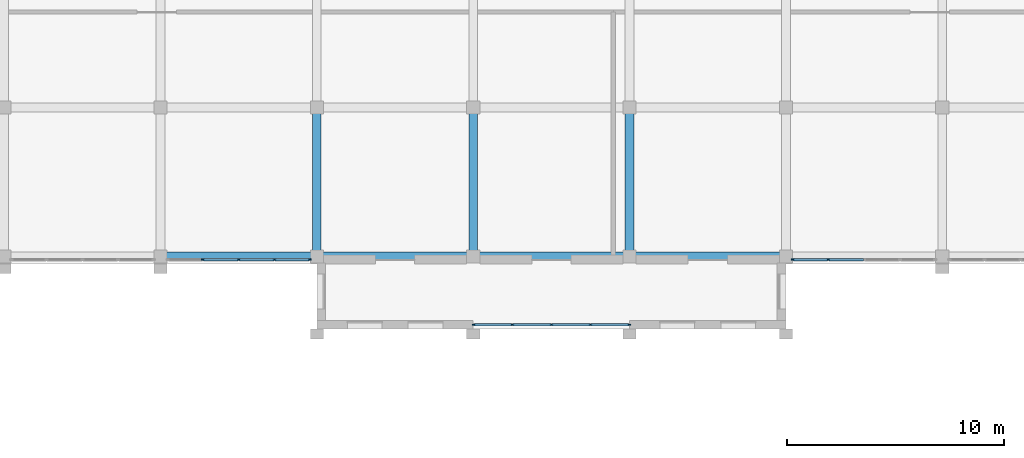
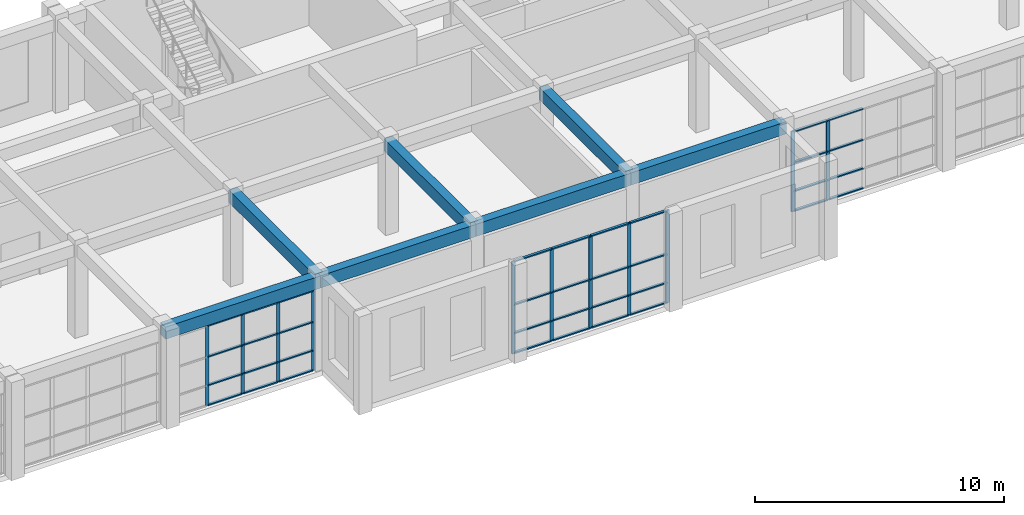
# One storey, part 104 of 149: 47 members, 7 beams, 3 elements without a shape of their own.
"""IFC4 building model written with IfcOpenShell, lengths in metres."""

from ifc_helpers import new_model, si_unit, direction, frame, origin, origin_2d, place, context, subcontext, project, spatial, rectangle, extrude, material, material_profile, profile_set, type_object, element, aggregate, save


model = new_model("IFC4")

# Units and contexts
model_context = context("Model", 3, precision=1e-05, world=origin(), true_north=direction((0.0, 1.0)))
body_context = subcontext(model_context, "Body", "Model", "MODEL_VIEW")
ifc_project = project(units=[si_unit("LENGTHUNIT", "METRE"), si_unit("AREAUNIT", "SQUARE_METRE"), si_unit("VOLUMEUNIT", "CUBIC_METRE"), si_unit("PLANEANGLEUNIT", "RADIAN"), si_unit("MASSUNIT", "GRAM", prefix="KILO")], contexts=[model_context])

# Site, building, storey
site_placement = place(None, origin())
site = spatial("IfcSite", under=ifc_project, at=site_placement, CompositionType="ELEMENT")
building_placement = place(site_placement, origin())
building = spatial("IfcBuilding", under=site, at=building_placement, Name="Alderwick Market Hall", CompositionType="ELEMENT")
storey_placement = place(building_placement, frame((0.0, 0.0, 9.60009765625)))
storey = spatial("IfcBuildingStorey", under=building, at=storey_placement, Name="L01", CompositionType="ELEMENT", Elevation=9.60009765625)

# Curtain wall, members
ifc_material_1 = material(Name="F Curtain Wall 1800 module")
curtain_wall_type = type_object("IfcCurtainWallType", Name="F Curtain Wall 1800 module", PredefinedType="NOTDEFINED", material=ifc_material_1)
curtain_wall_1_placement = place(storey_placement, origin())
curtain_wall_1 = element("IfcCurtainWall", 1, at=curtain_wall_1_placement, inside=storey, type_object=curtain_wall_type, Name="F.cw.L01.04", PredefinedType="NOTDEFINED")
ifc_material_2 = material(Name="Aluminium alloy 6063-T6", Category="aluminium")
ifc_material_profile_1 = material_profile(ifc_material_2, rectangle(XDim=0.06005859375, YDim=0.159912109375, at=origin_2d()), Name="AL 60x160")
ifc_profile_set_1 = profile_set([ifc_material_profile_1], Name="Aluminium alloy 6063-T6")
member_type_1 = type_object("IfcMemberType", Name="F Curtain Wall Mullion 60x160", PredefinedType="MULLION", material=ifc_profile_set_1)
member_1_placement = place(storey_placement, frame((186.8701171875, 129.800048828125, 0.0), z_axis=(0.0, 0.0, 1.0), x_axis=(0.0, -1.0, 0.0)))
member_1 = element("IfcMember", 2, at=member_1_placement, type_object=member_type_1, Name="F-CW mullion 1", PredefinedType="MULLION", context=body_context, shape_type="SweptSolid", body=[
    extrude(rectangle(XDim=0.06005859375, YDim=0.159912109375, at=origin_2d()), origin(), (0.0, 0.0, 1.0), 3.949951171875),
])
member_2_placement = place(storey_placement, frame((185.25, 129.800048828125, 0.0), z_axis=(0.0, 0.0, 1.0), x_axis=(0.0, -1.0, 0.0)))
member_2 = element("IfcMember", 3, at=member_2_placement, type_object=member_type_1, Name="F-CW mullion 2", PredefinedType="MULLION", context=body_context, shape_type="SweptSolid", body=[
    extrude(rectangle(XDim=0.06005859375, YDim=0.159912109375, at=origin_2d()), origin(), (0.0, 0.0, 1.0), 3.949951171875),
])
member_3_placement = place(storey_placement, frame((183.60009765625, 129.800048828125, 0.0), z_axis=(0.0, 0.0, 1.0), x_axis=(0.0, -1.0, 0.0)))
member_3 = element("IfcMember", 4, at=member_3_placement, type_object=member_type_1, Name="F-CW mullion 3", PredefinedType="MULLION", context=body_context, shape_type="SweptSolid", body=[
    extrude(rectangle(XDim=0.06005859375, YDim=0.159912109375, at=origin_2d()), origin(), (0.0, 0.0, 1.0), 3.949951171875),
])
member_4_placement = place(storey_placement, frame((181.949951171875, 129.800048828125, 0.0), z_axis=(0.0, 0.0, 1.0), x_axis=(0.0, -1.0, 0.0)))
member_4 = element("IfcMember", 5, at=member_4_placement, type_object=member_type_1, Name="F-CW mullion 4", PredefinedType="MULLION", context=body_context, shape_type="SweptSolid", body=[
    extrude(rectangle(XDim=0.06005859375, YDim=0.159912109375, at=origin_2d()), origin(), (0.0, 0.0, 1.0), 3.949951171875),
])

curtain_wall_2_placement = place(storey_placement, origin())
curtain_wall_2 = element("IfcCurtainWall", 6, at=curtain_wall_2_placement, inside=storey, type_object=curtain_wall_type, Name="F.cw.L01.08", PredefinedType="NOTDEFINED")
member_5_placement = place(storey_placement, frame((210.75, 129.800048828125, 0.0), z_axis=(0.0, 0.0, 1.0), x_axis=(0.0, -1.0, 0.0)))
member_5 = element("IfcMember", 7, at=member_5_placement, type_object=member_type_1, Name="F-CW mullion 4", PredefinedType="MULLION", context=body_context, shape_type="SweptSolid", body=[
    extrude(rectangle(XDim=0.06005859375, YDim=0.159912109375, at=origin_2d()), origin(), (0.0, 0.0, 1.0), 3.949951171875),
])
member_6_placement = place(storey_placement, frame((209.1298828125, 129.800048828125, 0.0), z_axis=(0.0, 0.0, 1.0), x_axis=(0.0, -1.0, 0.0)))
member_6 = element("IfcMember", 8, at=member_6_placement, type_object=member_type_1, Name="F-CW mullion 5", PredefinedType="MULLION", context=body_context, shape_type="SweptSolid", body=[
    extrude(rectangle(XDim=0.06005859375, YDim=0.159912109375, at=origin_2d()), origin(), (0.0, 0.0, 1.0), 3.949951171875),
])

curtain_wall_3_placement = place(storey_placement, origin())
curtain_wall_3 = element("IfcCurtainWall", 9, at=curtain_wall_3_placement, inside=storey, type_object=curtain_wall_type, Name="F.pcw.L01.1", PredefinedType="NOTDEFINED")
member_7_placement = place(storey_placement, frame((201.570068359375, 126.800048828125, 0.0), z_axis=(0.0, 0.0, 1.0), x_axis=(0.0, -1.0, 0.0)))
member_7 = element("IfcMember", 10, at=member_7_placement, type_object=member_type_1, Name="F-CW mullion 1", PredefinedType="MULLION", context=body_context, shape_type="SweptSolid", body=[
    extrude(rectangle(XDim=0.06005859375, YDim=0.159912109375, at=origin_2d()), origin(), (0.0, 0.0, 1.0), 4.5498046875),
])
member_8_placement = place(storey_placement, frame((199.800048828125, 126.800048828125, 0.0), z_axis=(0.0, 0.0, 1.0), x_axis=(0.0, -1.0, 0.0)))
member_8 = element("IfcMember", 11, at=member_8_placement, type_object=member_type_1, Name="F-CW mullion 2", PredefinedType="MULLION", context=body_context, shape_type="SweptSolid", body=[
    extrude(rectangle(XDim=0.06005859375, YDim=0.159912109375, at=origin_2d()), origin(), (0.0, 0.0, 1.0), 4.5498046875),
])
member_9_placement = place(storey_placement, frame((198.0, 126.800048828125, 0.0), z_axis=(0.0, 0.0, 1.0), x_axis=(0.0, -1.0, 0.0)))
member_9 = element("IfcMember", 12, at=member_9_placement, type_object=member_type_1, Name="F-CW mullion 3", PredefinedType="MULLION", context=body_context, shape_type="SweptSolid", body=[
    extrude(rectangle(XDim=0.06005859375, YDim=0.159912109375, at=origin_2d()), origin(), (0.0, 0.0, 1.0), 4.5498046875),
])
member_10_placement = place(storey_placement, frame((196.199951171875, 126.800048828125, 0.0), z_axis=(0.0, 0.0, 1.0), x_axis=(0.0, -1.0, 0.0)))
member_10 = element("IfcMember", 13, at=member_10_placement, type_object=member_type_1, Name="F-CW mullion 4", PredefinedType="MULLION", context=body_context, shape_type="SweptSolid", body=[
    extrude(rectangle(XDim=0.06005859375, YDim=0.159912109375, at=origin_2d()), origin(), (0.0, 0.0, 1.0), 4.5498046875),
])
member_11_placement = place(storey_placement, frame((194.429931640625, 126.800048828125, 0.0), z_axis=(0.0, 0.0, 1.0), x_axis=(0.0, -1.0, 0.0)))
member_11 = element("IfcMember", 14, at=member_11_placement, type_object=member_type_1, Name="F-CW mullion 5", PredefinedType="MULLION", context=body_context, shape_type="SweptSolid", body=[
    extrude(rectangle(XDim=0.06005859375, YDim=0.159912109375, at=origin_2d()), origin(), (0.0, 0.0, 1.0), 4.5498046875),
])

# Member
ifc_material_profile_2 = material_profile(ifc_material_2, rectangle(XDim=0.1201171875, YDim=0.06005859375, at=origin_2d()), Name="AL 60x120")
ifc_profile_set_2 = profile_set([ifc_material_profile_2], Name="Aluminium alloy 6063-T6")
member_type_2 = type_object("IfcMemberType", Name="F Curtain Wall Transom 60x120", PredefinedType="USERDEFINED", material=ifc_profile_set_2)
member_12_placement = place(storey_placement, frame((186.840087890625, 129.800048828125, 0.02978515625), z_axis=(-1.0, 0.0, 0.0), x_axis=(0.0, -1.0, 0.0)))
member_12 = element("IfcMember", 15, at=member_12_placement, type_object=member_type_2, Name="F-CW transom 1.1", ObjectType="TRANSOM", PredefinedType="USERDEFINED", context=body_context, shape_type="SweptSolid", body=[
    extrude(rectangle(XDim=0.1201171875, YDim=0.06005859375, at=origin_2d()), origin(), (0.0, 0.0, 1.0), 1.56005859375),
])

member_13_placement = place(storey_placement, frame((186.840087890625, 129.800048828125, 1.0), z_axis=(-1.0, 0.0, 0.0), x_axis=(0.0, -1.0, 0.0)))
member_13 = element("IfcMember", 16, at=member_13_placement, type_object=member_type_2, Name="F-CW transom 1.2", ObjectType="TRANSOM", PredefinedType="USERDEFINED", context=body_context, shape_type="SweptSolid", body=[
    extrude(rectangle(XDim=0.1201171875, YDim=0.06005859375, at=origin_2d()), origin(), (0.0, 0.0, 1.0), 1.56005859375),
])

member_14_placement = place(storey_placement, frame((186.840087890625, 129.800048828125, 2.39990234375), z_axis=(-1.0, 0.0, 0.0), x_axis=(0.0, -1.0, 0.0)))
member_14 = element("IfcMember", 17, at=member_14_placement, type_object=member_type_2, Name="F-CW transom 1.3", ObjectType="TRANSOM", PredefinedType="USERDEFINED", context=body_context, shape_type="SweptSolid", body=[
    extrude(rectangle(XDim=0.1201171875, YDim=0.06005859375, at=origin_2d()), origin(), (0.0, 0.0, 1.0), 1.56005859375),
])

member_15_placement = place(storey_placement, frame((186.840087890625, 129.800048828125, 3.919921875), z_axis=(-1.0, 0.0, 0.0), x_axis=(0.0, -1.0, 0.0)))
member_15 = element("IfcMember", 18, at=member_15_placement, type_object=member_type_2, Name="F-CW transom 1.4", ObjectType="TRANSOM", PredefinedType="USERDEFINED", context=body_context, shape_type="SweptSolid", body=[
    extrude(rectangle(XDim=0.1201171875, YDim=0.06005859375, at=origin_2d()), origin(), (0.0, 0.0, 1.0), 1.56005859375),
])

member_16_placement = place(storey_placement, frame((185.219970703125, 129.800048828125, 0.02978515625), z_axis=(-1.0, 0.0, 0.0), x_axis=(0.0, -1.0, 0.0)))
member_16 = element("IfcMember", 19, at=member_16_placement, type_object=member_type_2, Name="F-CW transom 2.1", ObjectType="TRANSOM", PredefinedType="USERDEFINED", context=body_context, shape_type="SweptSolid", body=[
    extrude(rectangle(XDim=0.1201171875, YDim=0.06005859375, at=origin_2d()), origin(), (0.0, 0.0, 1.0), 1.590087890625),
])

member_17_placement = place(storey_placement, frame((185.219970703125, 129.800048828125, 1.0), z_axis=(-1.0, 0.0, 0.0), x_axis=(0.0, -1.0, 0.0)))
member_17 = element("IfcMember", 20, at=member_17_placement, type_object=member_type_2, Name="F-CW transom 2.2", ObjectType="TRANSOM", PredefinedType="USERDEFINED", context=body_context, shape_type="SweptSolid", body=[
    extrude(rectangle(XDim=0.1201171875, YDim=0.06005859375, at=origin_2d()), origin(), (0.0, 0.0, 1.0), 1.590087890625),
])

member_18_placement = place(storey_placement, frame((185.219970703125, 129.800048828125, 2.39990234375), z_axis=(-1.0, 0.0, 0.0), x_axis=(0.0, -1.0, 0.0)))
member_18 = element("IfcMember", 21, at=member_18_placement, type_object=member_type_2, Name="F-CW transom 2.3", ObjectType="TRANSOM", PredefinedType="USERDEFINED", context=body_context, shape_type="SweptSolid", body=[
    extrude(rectangle(XDim=0.1201171875, YDim=0.06005859375, at=origin_2d()), origin(), (0.0, 0.0, 1.0), 1.590087890625),
])

member_19_placement = place(storey_placement, frame((185.219970703125, 129.800048828125, 3.919921875), z_axis=(-1.0, 0.0, 0.0), x_axis=(0.0, -1.0, 0.0)))
member_19 = element("IfcMember", 22, at=member_19_placement, type_object=member_type_2, Name="F-CW transom 2.4", ObjectType="TRANSOM", PredefinedType="USERDEFINED", context=body_context, shape_type="SweptSolid", body=[
    extrude(rectangle(XDim=0.1201171875, YDim=0.06005859375, at=origin_2d()), origin(), (0.0, 0.0, 1.0), 1.590087890625),
])

member_20_placement = place(storey_placement, frame((183.570068359375, 129.800048828125, 0.02978515625), z_axis=(-1.0, 0.0, 0.0), x_axis=(0.0, -1.0, 0.0)))
member_20 = element("IfcMember", 23, at=member_20_placement, type_object=member_type_2, Name="F-CW transom 3.1", ObjectType="TRANSOM", PredefinedType="USERDEFINED", context=body_context, shape_type="SweptSolid", body=[
    extrude(rectangle(XDim=0.1201171875, YDim=0.06005859375, at=origin_2d()), origin(), (0.0, 0.0, 1.0), 1.590087890625),
])

member_21_placement = place(storey_placement, frame((183.570068359375, 129.800048828125, 1.0), z_axis=(-1.0, 0.0, 0.0), x_axis=(0.0, -1.0, 0.0)))
member_21 = element("IfcMember", 24, at=member_21_placement, type_object=member_type_2, Name="F-CW transom 3.2", ObjectType="TRANSOM", PredefinedType="USERDEFINED", context=body_context, shape_type="SweptSolid", body=[
    extrude(rectangle(XDim=0.1201171875, YDim=0.06005859375, at=origin_2d()), origin(), (0.0, 0.0, 1.0), 1.590087890625),
])

member_22_placement = place(storey_placement, frame((183.570068359375, 129.800048828125, 2.39990234375), z_axis=(-1.0, 0.0, 0.0), x_axis=(0.0, -1.0, 0.0)))
member_22 = element("IfcMember", 25, at=member_22_placement, type_object=member_type_2, Name="F-CW transom 3.3", ObjectType="TRANSOM", PredefinedType="USERDEFINED", context=body_context, shape_type="SweptSolid", body=[
    extrude(rectangle(XDim=0.1201171875, YDim=0.06005859375, at=origin_2d()), origin(), (0.0, 0.0, 1.0), 1.590087890625),
])

member_23_placement = place(storey_placement, frame((183.570068359375, 129.800048828125, 3.919921875), z_axis=(-1.0, 0.0, 0.0), x_axis=(0.0, -1.0, 0.0)))
member_23 = element("IfcMember", 26, at=member_23_placement, type_object=member_type_2, Name="F-CW transom 3.4", ObjectType="TRANSOM", PredefinedType="USERDEFINED", context=body_context, shape_type="SweptSolid", body=[
    extrude(rectangle(XDim=0.1201171875, YDim=0.06005859375, at=origin_2d()), origin(), (0.0, 0.0, 1.0), 1.590087890625),
])

aggregate(curtain_wall_1, [member_1, member_2, member_3, member_4, member_12, member_13, member_14, member_15, member_16, member_17, member_18, member_19, member_20, member_21, member_22, member_23])

member_24_placement = place(storey_placement, frame((212.3701171875, 129.800048828125, 0.02978515625), z_axis=(-1.0, 0.0, 0.0), x_axis=(0.0, -1.0, 0.0)))
member_24 = element("IfcMember", 27, at=member_24_placement, type_object=member_type_2, Name="F-CW transom 3.1", ObjectType="TRANSOM", PredefinedType="USERDEFINED", context=body_context, shape_type="SweptSolid", body=[
    extrude(rectangle(XDim=0.1201171875, YDim=0.06005859375, at=origin_2d()), origin(), (0.0, 0.0, 1.0), 1.590087890625),
])

member_25_placement = place(storey_placement, frame((212.3701171875, 129.800048828125, 1.0), z_axis=(-1.0, 0.0, 0.0), x_axis=(0.0, -1.0, 0.0)))
member_25 = element("IfcMember", 28, at=member_25_placement, type_object=member_type_2, Name="F-CW transom 3.2", ObjectType="TRANSOM", PredefinedType="USERDEFINED", context=body_context, shape_type="SweptSolid", body=[
    extrude(rectangle(XDim=0.1201171875, YDim=0.06005859375, at=origin_2d()), origin(), (0.0, 0.0, 1.0), 1.590087890625),
])

member_26_placement = place(storey_placement, frame((212.3701171875, 129.800048828125, 2.39990234375), z_axis=(-1.0, 0.0, 0.0), x_axis=(0.0, -1.0, 0.0)))
member_26 = element("IfcMember", 29, at=member_26_placement, type_object=member_type_2, Name="F-CW transom 3.3", ObjectType="TRANSOM", PredefinedType="USERDEFINED", context=body_context, shape_type="SweptSolid", body=[
    extrude(rectangle(XDim=0.1201171875, YDim=0.06005859375, at=origin_2d()), origin(), (0.0, 0.0, 1.0), 1.590087890625),
])

member_27_placement = place(storey_placement, frame((212.3701171875, 129.800048828125, 3.919921875), z_axis=(-1.0, 0.0, 0.0), x_axis=(0.0, -1.0, 0.0)))
member_27 = element("IfcMember", 30, at=member_27_placement, type_object=member_type_2, Name="F-CW transom 3.4", ObjectType="TRANSOM", PredefinedType="USERDEFINED", context=body_context, shape_type="SweptSolid", body=[
    extrude(rectangle(XDim=0.1201171875, YDim=0.06005859375, at=origin_2d()), origin(), (0.0, 0.0, 1.0), 1.590087890625),
])

member_28_placement = place(storey_placement, frame((210.719970703125, 129.800048828125, 0.02978515625), z_axis=(-1.0, 0.0, 0.0), x_axis=(0.0, -1.0, 0.0)))
member_28 = element("IfcMember", 31, at=member_28_placement, type_object=member_type_2, Name="F-CW transom 4.1", ObjectType="TRANSOM", PredefinedType="USERDEFINED", context=body_context, shape_type="SweptSolid", body=[
    extrude(rectangle(XDim=0.1201171875, YDim=0.06005859375, at=origin_2d()), origin(), (0.0, 0.0, 1.0), 1.56005859375),
])

member_29_placement = place(storey_placement, frame((210.719970703125, 129.800048828125, 1.0), z_axis=(-1.0, 0.0, 0.0), x_axis=(0.0, -1.0, 0.0)))
member_29 = element("IfcMember", 32, at=member_29_placement, type_object=member_type_2, Name="F-CW transom 4.2", ObjectType="TRANSOM", PredefinedType="USERDEFINED", context=body_context, shape_type="SweptSolid", body=[
    extrude(rectangle(XDim=0.1201171875, YDim=0.06005859375, at=origin_2d()), origin(), (0.0, 0.0, 1.0), 1.56005859375),
])

member_30_placement = place(storey_placement, frame((210.719970703125, 129.800048828125, 2.39990234375), z_axis=(-1.0, 0.0, 0.0), x_axis=(0.0, -1.0, 0.0)))
member_30 = element("IfcMember", 33, at=member_30_placement, type_object=member_type_2, Name="F-CW transom 4.3", ObjectType="TRANSOM", PredefinedType="USERDEFINED", context=body_context, shape_type="SweptSolid", body=[
    extrude(rectangle(XDim=0.1201171875, YDim=0.06005859375, at=origin_2d()), origin(), (0.0, 0.0, 1.0), 1.56005859375),
])

member_31_placement = place(storey_placement, frame((210.719970703125, 129.800048828125, 3.919921875), z_axis=(-1.0, 0.0, 0.0), x_axis=(0.0, -1.0, 0.0)))
member_31 = element("IfcMember", 34, at=member_31_placement, type_object=member_type_2, Name="F-CW transom 4.4", ObjectType="TRANSOM", PredefinedType="USERDEFINED", context=body_context, shape_type="SweptSolid", body=[
    extrude(rectangle(XDim=0.1201171875, YDim=0.06005859375, at=origin_2d()), origin(), (0.0, 0.0, 1.0), 1.56005859375),
])

aggregate(curtain_wall_2, [member_5, member_6, member_24, member_25, member_26, member_27, member_28, member_29, member_30, member_31])

member_32_placement = place(storey_placement, frame((201.5400390625, 126.800048828125, 0.02978515625), z_axis=(-1.0, 0.0, 0.0), x_axis=(0.0, -1.0, 0.0)))
member_32 = element("IfcMember", 35, at=member_32_placement, type_object=member_type_2, Name="F-CW transom 1.1", ObjectType="TRANSOM", PredefinedType="USERDEFINED", context=body_context, shape_type="SweptSolid", body=[
    extrude(rectangle(XDim=0.1201171875, YDim=0.06005859375, at=origin_2d()), origin(), (0.0, 0.0, 1.0), 1.7099609375),
])

member_33_placement = place(storey_placement, frame((201.5400390625, 126.800048828125, 1.0), z_axis=(-1.0, 0.0, 0.0), x_axis=(0.0, -1.0, 0.0)))
member_33 = element("IfcMember", 36, at=member_33_placement, type_object=member_type_2, Name="F-CW transom 1.2", ObjectType="TRANSOM", PredefinedType="USERDEFINED", context=body_context, shape_type="SweptSolid", body=[
    extrude(rectangle(XDim=0.1201171875, YDim=0.06005859375, at=origin_2d()), origin(), (0.0, 0.0, 1.0), 1.7099609375),
])

member_34_placement = place(storey_placement, frame((201.5400390625, 126.800048828125, 2.39990234375), z_axis=(-1.0, 0.0, 0.0), x_axis=(0.0, -1.0, 0.0)))
member_34 = element("IfcMember", 37, at=member_34_placement, type_object=member_type_2, Name="F-CW transom 1.3", ObjectType="TRANSOM", PredefinedType="USERDEFINED", context=body_context, shape_type="SweptSolid", body=[
    extrude(rectangle(XDim=0.1201171875, YDim=0.06005859375, at=origin_2d()), origin(), (0.0, 0.0, 1.0), 1.7099609375),
])

member_35_placement = place(storey_placement, frame((201.5400390625, 126.800048828125, 4.52001953125), z_axis=(-1.0, 0.0, 0.0), x_axis=(0.0, -1.0, 0.0)))
member_35 = element("IfcMember", 38, at=member_35_placement, type_object=member_type_2, Name="F-CW transom 1.4", ObjectType="TRANSOM", PredefinedType="USERDEFINED", context=body_context, shape_type="SweptSolid", body=[
    extrude(rectangle(XDim=0.1201171875, YDim=0.06005859375, at=origin_2d()), origin(), (0.0, 0.0, 1.0), 1.7099609375),
])

member_36_placement = place(storey_placement, frame((199.77001953125, 126.800048828125, 0.02978515625), z_axis=(-1.0, 0.0, 0.0), x_axis=(0.0, -1.0, 0.0)))
member_36 = element("IfcMember", 39, at=member_36_placement, type_object=member_type_2, Name="F-CW transom 2.1", ObjectType="TRANSOM", PredefinedType="USERDEFINED", context=body_context, shape_type="SweptSolid", body=[
    extrude(rectangle(XDim=0.1201171875, YDim=0.06005859375, at=origin_2d()), origin(), (0.0, 0.0, 1.0), 1.739990234375),
])

member_37_placement = place(storey_placement, frame((199.77001953125, 126.800048828125, 1.0), z_axis=(-1.0, 0.0, 0.0), x_axis=(0.0, -1.0, 0.0)))
member_37 = element("IfcMember", 40, at=member_37_placement, type_object=member_type_2, Name="F-CW transom 2.2", ObjectType="TRANSOM", PredefinedType="USERDEFINED", context=body_context, shape_type="SweptSolid", body=[
    extrude(rectangle(XDim=0.1201171875, YDim=0.06005859375, at=origin_2d()), origin(), (0.0, 0.0, 1.0), 1.739990234375),
])

member_38_placement = place(storey_placement, frame((199.77001953125, 126.800048828125, 2.39990234375), z_axis=(-1.0, 0.0, 0.0), x_axis=(0.0, -1.0, 0.0)))
member_38 = element("IfcMember", 41, at=member_38_placement, type_object=member_type_2, Name="F-CW transom 2.3", ObjectType="TRANSOM", PredefinedType="USERDEFINED", context=body_context, shape_type="SweptSolid", body=[
    extrude(rectangle(XDim=0.1201171875, YDim=0.06005859375, at=origin_2d()), origin(), (0.0, 0.0, 1.0), 1.739990234375),
])

member_39_placement = place(storey_placement, frame((199.77001953125, 126.800048828125, 4.52001953125), z_axis=(-1.0, 0.0, 0.0), x_axis=(0.0, -1.0, 0.0)))
member_39 = element("IfcMember", 42, at=member_39_placement, type_object=member_type_2, Name="F-CW transom 2.4", ObjectType="TRANSOM", PredefinedType="USERDEFINED", context=body_context, shape_type="SweptSolid", body=[
    extrude(rectangle(XDim=0.1201171875, YDim=0.06005859375, at=origin_2d()), origin(), (0.0, 0.0, 1.0), 1.739990234375),
])

member_40_placement = place(storey_placement, frame((197.969970703125, 126.800048828125, 0.02978515625), z_axis=(-1.0, 0.0, 0.0), x_axis=(0.0, -1.0, 0.0)))
member_40 = element("IfcMember", 43, at=member_40_placement, type_object=member_type_2, Name="F-CW transom 3.1", ObjectType="TRANSOM", PredefinedType="USERDEFINED", context=body_context, shape_type="SweptSolid", body=[
    extrude(rectangle(XDim=0.1201171875, YDim=0.06005859375, at=origin_2d()), origin(), (0.0, 0.0, 1.0), 1.739990234375),
])

member_41_placement = place(storey_placement, frame((197.969970703125, 126.800048828125, 1.0), z_axis=(-1.0, 0.0, 0.0), x_axis=(0.0, -1.0, 0.0)))
member_41 = element("IfcMember", 44, at=member_41_placement, type_object=member_type_2, Name="F-CW transom 3.2", ObjectType="TRANSOM", PredefinedType="USERDEFINED", context=body_context, shape_type="SweptSolid", body=[
    extrude(rectangle(XDim=0.1201171875, YDim=0.06005859375, at=origin_2d()), origin(), (0.0, 0.0, 1.0), 1.739990234375),
])

member_42_placement = place(storey_placement, frame((197.969970703125, 126.800048828125, 2.39990234375), z_axis=(-1.0, 0.0, 0.0), x_axis=(0.0, -1.0, 0.0)))
member_42 = element("IfcMember", 45, at=member_42_placement, type_object=member_type_2, Name="F-CW transom 3.3", ObjectType="TRANSOM", PredefinedType="USERDEFINED", context=body_context, shape_type="SweptSolid", body=[
    extrude(rectangle(XDim=0.1201171875, YDim=0.06005859375, at=origin_2d()), origin(), (0.0, 0.0, 1.0), 1.739990234375),
])

member_43_placement = place(storey_placement, frame((197.969970703125, 126.800048828125, 4.52001953125), z_axis=(-1.0, 0.0, 0.0), x_axis=(0.0, -1.0, 0.0)))
member_43 = element("IfcMember", 46, at=member_43_placement, type_object=member_type_2, Name="F-CW transom 3.4", ObjectType="TRANSOM", PredefinedType="USERDEFINED", context=body_context, shape_type="SweptSolid", body=[
    extrude(rectangle(XDim=0.1201171875, YDim=0.06005859375, at=origin_2d()), origin(), (0.0, 0.0, 1.0), 1.739990234375),
])

member_44_placement = place(storey_placement, frame((196.169921875, 126.800048828125, 0.02978515625), z_axis=(-1.0, 0.0, 0.0), x_axis=(0.0, -1.0, 0.0)))
member_44 = element("IfcMember", 47, at=member_44_placement, type_object=member_type_2, Name="F-CW transom 4.1", ObjectType="TRANSOM", PredefinedType="USERDEFINED", context=body_context, shape_type="SweptSolid", body=[
    extrude(rectangle(XDim=0.1201171875, YDim=0.06005859375, at=origin_2d()), origin(), (0.0, 0.0, 1.0), 1.7099609375),
])

member_45_placement = place(storey_placement, frame((196.169921875, 126.800048828125, 1.0), z_axis=(-1.0, 0.0, 0.0), x_axis=(0.0, -1.0, 0.0)))
member_45 = element("IfcMember", 48, at=member_45_placement, type_object=member_type_2, Name="F-CW transom 4.2", ObjectType="TRANSOM", PredefinedType="USERDEFINED", context=body_context, shape_type="SweptSolid", body=[
    extrude(rectangle(XDim=0.1201171875, YDim=0.06005859375, at=origin_2d()), origin(), (0.0, 0.0, 1.0), 1.7099609375),
])

member_46_placement = place(storey_placement, frame((196.169921875, 126.800048828125, 2.39990234375), z_axis=(-1.0, 0.0, 0.0), x_axis=(0.0, -1.0, 0.0)))
member_46 = element("IfcMember", 49, at=member_46_placement, type_object=member_type_2, Name="F-CW transom 4.3", ObjectType="TRANSOM", PredefinedType="USERDEFINED", context=body_context, shape_type="SweptSolid", body=[
    extrude(rectangle(XDim=0.1201171875, YDim=0.06005859375, at=origin_2d()), origin(), (0.0, 0.0, 1.0), 1.7099609375),
])

member_47_placement = place(storey_placement, frame((196.169921875, 126.800048828125, 4.52001953125), z_axis=(-1.0, 0.0, 0.0), x_axis=(0.0, -1.0, 0.0)))
member_47 = element("IfcMember", 50, at=member_47_placement, type_object=member_type_2, Name="F-CW transom 4.4", ObjectType="TRANSOM", PredefinedType="USERDEFINED", context=body_context, shape_type="SweptSolid", body=[
    extrude(rectangle(XDim=0.1201171875, YDim=0.06005859375, at=origin_2d()), origin(), (0.0, 0.0, 1.0), 1.7099609375),
])

aggregate(curtain_wall_3, [member_7, member_8, member_9, member_10, member_11, member_32, member_33, member_34, member_35, member_36, member_37, member_38, member_39, member_40, member_41, member_42, member_43, member_44, member_45, member_46, member_47])

# Beams
ifc_material_3 = material(Name="Concrete 5000 psi (f'c 35 MPa)", Category="concrete")
ifc_material_profile_3 = material_profile(ifc_material_3, rectangle(XDim=0.39990234375, YDim=0.60009765625, at=origin_2d()), Name="RC 400x600")
ifc_profile_set_3 = profile_set([ifc_material_profile_3], Name="Concrete 5000 psi (f'c 35 MPa)")
beam_type = type_object("IfcBeamType", Name="F Floor Beam RC 400x600", PredefinedType="BEAM", material=ifc_profile_set_3)
for number, where, z_axis, x_axis, name in (
    (51, (180.0, 129.949951171875, 4.25), (1.0, 0.0, 0.0), (0.0, 1.0, 0.0), "F.beam.L01.004"),
    (52, (187.199951171875, 129.949951171875, 4.25), (1.0, 0.0, 0.0), (0.0, 1.0, 0.0), "F.beam.L01.005"),
):
    element("IfcBeam", number, at=place(storey_placement, frame(where, z_axis=z_axis, x_axis=x_axis)), inside=storey, type_object=beam_type, Name=name, PredefinedType="BEAM", context=body_context, shape_type="SweptSolid", body=[
        extrude(rectangle(XDim=0.39990234375, YDim=0.60009765625, at=origin_2d()), origin(), (0.0, 0.0, 1.0), 7.199951171875),
    ])
beam_1_placement = place(storey_placement, frame((194.39990234375, 129.949951171875, 4.25), z_axis=(1.0, 0.0, 0.0), x_axis=(0.0, 1.0, 0.0)))
element("IfcBeam", 53, at=beam_1_placement, inside=storey, type_object=beam_type, Name="F.beam.L01.006", PredefinedType="BEAM", context=body_context, shape_type="SweptSolid", body=[
    extrude(rectangle(XDim=0.39990234375, YDim=0.60009765625, at=origin_2d()), origin(), (0.0, 0.0, 1.0), 7.2001953125),
])
beam_2_placement = place(storey_placement, frame((201.60009765625, 129.949951171875, 4.25), z_axis=(1.0, 0.0, 0.0), x_axis=(0.0, 1.0, 0.0)))
element("IfcBeam", 54, at=beam_2_placement, inside=storey, type_object=beam_type, Name="F.beam.L01.007", PredefinedType="BEAM", context=body_context, shape_type="SweptSolid", body=[
    extrude(rectangle(XDim=0.39990234375, YDim=0.60009765625, at=origin_2d()), origin(), (0.0, 0.0, 1.0), 7.199951171875),
])
for number, where, z_axis, x_axis, name in (
    (55, (187.199951171875, 129.949951171875, 4.25), (0.0, 1.0, 0.0), (-1.0, 0.0, 0.0), "F.beam.L01.047"),
    (56, (194.39990234375, 129.949951171875, 4.25), (0.0, 1.0, 0.0), (-1.0, 0.0, 0.0), "F.beam.L01.050"),
    (57, (201.60009765625, 129.949951171875, 4.25), (0.0, 1.0, 0.0), (-1.0, 0.0, 0.0), "F.beam.L01.052"),
):
    element("IfcBeam", number, at=place(storey_placement, frame(where, z_axis=z_axis, x_axis=x_axis)), inside=storey, type_object=beam_type, Name=name, PredefinedType="BEAM", context=body_context, shape_type="SweptSolid", body=[
        extrude(rectangle(XDim=0.39990234375, YDim=0.60009765625, at=origin_2d()), origin(), (0.0, 0.0, 1.0), 6.85009765625),
    ])

save(model, "model.ifc")
